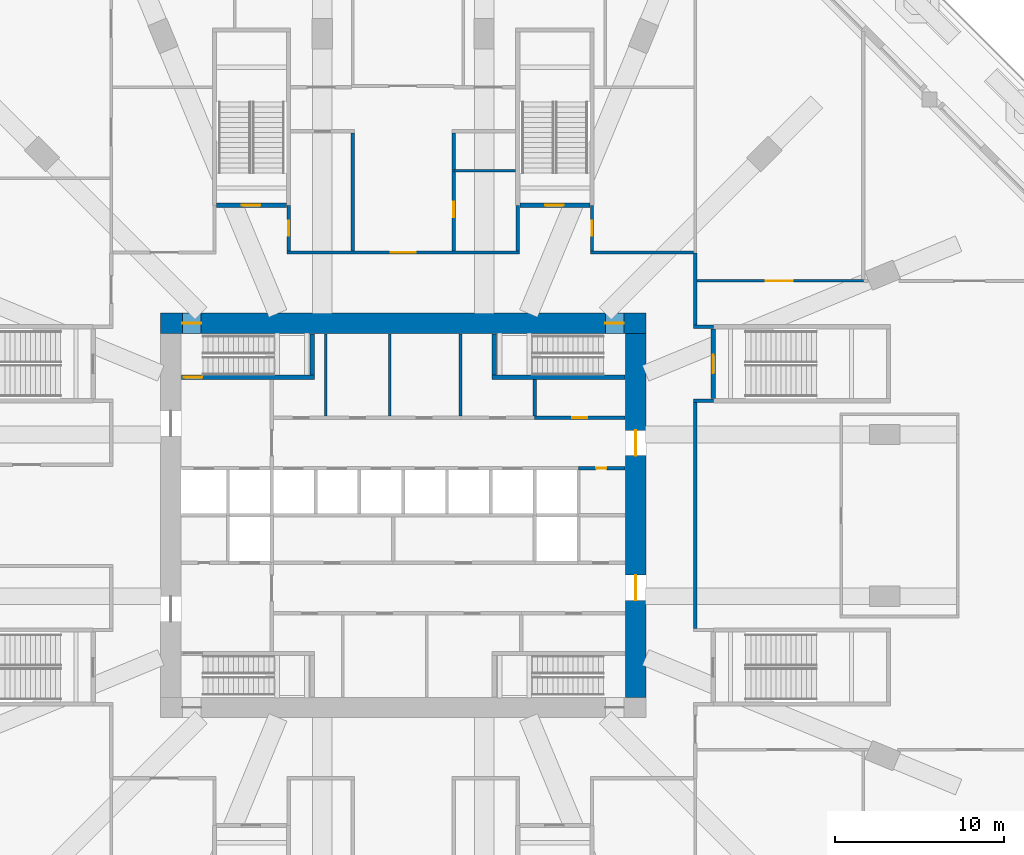
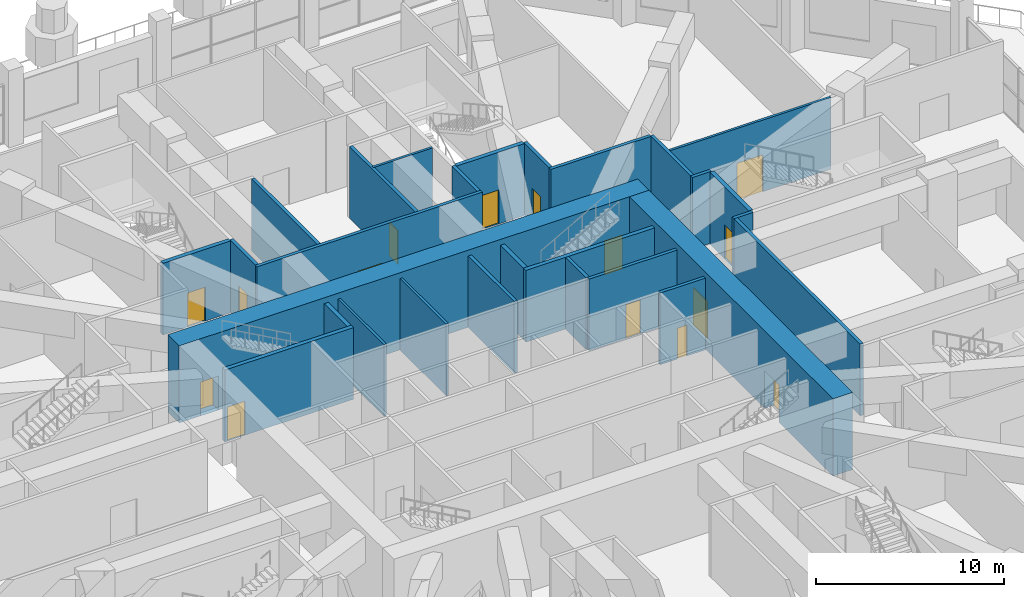
# One storey, part 18 of 25: 28 walls, 15 doors, 15 openings.
"""IFC4 building model written with IfcOpenShell, lengths in metres."""

from ifc_helpers import new_model, si_unit, direction, frame, frame_2d, origin, place, context, subcontext, project, spatial, rectangle, extrude, material, layer, layer_set, type_object, element, fill, save


model = new_model("IFC4")

# Units and contexts
model_context = context("Model", 3, precision=1e-05, world=origin(), true_north=direction((0.0, 1.0)))
body_context = subcontext(model_context, "Body", "Model", "MODEL_VIEW")
ifc_project = project(units=[si_unit("LENGTHUNIT", "METRE"), si_unit("AREAUNIT", "SQUARE_METRE"), si_unit("VOLUMEUNIT", "CUBIC_METRE"), si_unit("PLANEANGLEUNIT", "RADIAN"), si_unit("MASSUNIT", "GRAM", prefix="KILO")], contexts=[model_context])

# Site, building, storey
site_placement = place(None, origin())
site = spatial("IfcSite", under=ifc_project, at=site_placement, CompositionType="ELEMENT")
building_placement = place(site_placement, origin())
building = spatial("IfcBuilding", under=site, at=building_placement, Name="Msitu Wima Residences", CompositionType="ELEMENT")
storey_placement = place(building_placement, frame((0.0, 0.0, 11.0)))
storey = spatial("IfcBuildingStorey", under=building, at=storey_placement, Name="L02", CompositionType="ELEMENT", Elevation=11.0)

# Wall, openings, doors
ifc_material_1 = material(Name="Concrete C80/95", Category="concrete")
ifc_layer_1 = layer(ifc_material_1, 1.199951171875)
ifc_layer_set_1 = layer_set([ifc_layer_1], Name="Concrete C80/95")
wall_type_1 = type_object("IfcWallType", Name="Core wall CW1200 C80/95", PredefinedType="SHEAR", material=ifc_layer_set_1)
wall_1_placement = place(storey_placement, frame((-14.39990234375, 11.39990234375, 0.0), z_axis=(0.0, 0.0, 1.0), x_axis=(1.0, 0.0, 0.0)))
wall_1 = element("IfcWall", 1, at=wall_1_placement, inside=storey, type_object=wall_type_1, Name="Core wall", PredefinedType="SHEAR", context=body_context, shape_type="SweptSolid", body=[
    extrude(rectangle(XDim=28.7998046875, YDim=1.199951171875, at=frame_2d((14.39990234375, 0.0))), origin(), (0.0, 0.0, 1.0), 5.0),
])
opening_1_placement = place(wall_1_placement, frame((1.300048828125, 0.0, 0.0)))
opening_1 = element("IfcOpeningElement", 2, at=opening_1_placement, cuts=wall_1, Name="Opening D02.064", PredefinedType="OPENING", context=body_context, shape_type="SweptSolid", body=[
    extrude(rectangle(XDim=1.10009765625, YDim=2.199951171875, at=frame_2d((0.550048828125, 1.10009765625))), frame((0.0, 0.60986328125, 0.0), z_axis=(0.0, -1.0, 0.0), x_axis=(1.0, 0.0, 0.0)), (0.0, 0.0, 1.0), 1.219970703125),
])
opening_2_placement = place(wall_1_placement, frame((26.39990234375, 0.0, 0.0)))
opening_2 = element("IfcOpeningElement", 3, at=opening_2_placement, cuts=wall_1, Name="Opening D02.066", PredefinedType="OPENING", context=body_context, shape_type="SweptSolid", body=[
    extrude(rectangle(XDim=1.10009765625, YDim=2.199951171875, at=frame_2d((0.550048828125, 1.10009765625))), frame((0.0, 0.60986328125, 0.0), z_axis=(0.0, -1.0, 0.0), x_axis=(1.0, 0.0, 0.0)), (0.0, 0.0, 1.0), 1.219970703125),
])
ifc_material_2 = material(Name="Steel door, fire resisting, panic bar", Category="steel")
door_type_1 = type_object("IfcDoorType", Name="Stair door D06 1100x2200", OperationType="SINGLE_SWING_LEFT", PredefinedType="DOOR", material=ifc_material_2)
door_1_placement = place(opening_1_placement, origin())
door_1 = element("IfcDoor", 4, at=door_1_placement, inside=storey, type_object=door_type_1, Name="Stair door", OperationType="SINGLE_SWING_RIGHT", OverallHeight=2.199951171875, OverallWidth=1.10009765625, PredefinedType="DOOR", context=body_context, shape_type="SweptSolid", body=[
    extrude(rectangle(XDim=1.10009765625, YDim=2.199951171875, at=frame_2d((0.550048828125, 1.10009765625))), frame((0.0, 0.02490234375, 0.0), z_axis=(0.0, -1.0, 0.0), x_axis=(1.0, 0.0, 0.0)), (0.0, 0.0, 1.0), 0.050048828125),
])
fill(opening_1, door_1)
door_2_placement = place(opening_2_placement, origin())
door_2 = element("IfcDoor", 5, at=door_2_placement, inside=storey, type_object=door_type_1, Name="Stair door", OperationType="SINGLE_SWING_LEFT", OverallHeight=2.199951171875, OverallWidth=1.10009765625, PredefinedType="DOOR", context=body_context, shape_type="SweptSolid", body=[
    extrude(rectangle(XDim=1.10009765625, YDim=2.199951171875, at=frame_2d((0.550048828125, 1.10009765625))), frame((0.0, 0.02490234375, 0.0), z_axis=(0.0, -1.0, 0.0), x_axis=(1.0, 0.0, 0.0)), (0.0, 0.0, 1.0), 0.050048828125),
])
fill(opening_2, door_2)

wall_2_placement = place(storey_placement, frame((13.800048828125, -10.800048828125, 0.0), z_axis=(0.0, 0.0, 1.0), x_axis=(0.0, 1.0, 0.0)))
wall_2 = element("IfcWall", 6, at=wall_2_placement, inside=storey, type_object=wall_type_1, Name="Core wall", PredefinedType="SHEAR", context=body_context, shape_type="SweptSolid", body=[
    extrude(rectangle(XDim=21.60009765625, YDim=1.199951171875, at=frame_2d((10.800048828125, 0.0))), origin(), (0.0, 0.0, 1.0), 5.0),
])
opening_3_placement = place(wall_2_placement, frame((14.35009765625, 0.0, 0.0)))
opening_3 = element("IfcOpeningElement", 7, at=opening_3_placement, cuts=wall_2, Name="Opening D02.060", PredefinedType="OPENING", context=body_context, shape_type="SweptSolid", body=[
    extrude(rectangle(XDim=1.5, YDim=2.39990234375, at=frame_2d((0.75, 1.199951171875))), frame((0.0, 0.60986328125, 0.0), z_axis=(0.0, -1.0, 0.0), x_axis=(1.0, 0.0, 0.0)), (0.0, 0.0, 1.0), 1.219970703125),
])
opening_4_placement = place(wall_2_placement, frame((5.75, 0.0, 0.0)))
opening_4 = element("IfcOpeningElement", 8, at=opening_4_placement, cuts=wall_2, Name="Opening D02.061", PredefinedType="OPENING", context=body_context, shape_type="SweptSolid", body=[
    extrude(rectangle(XDim=1.5, YDim=2.39990234375, at=frame_2d((0.75, 1.199951171875))), frame((0.0, 0.60986328125, 0.0), z_axis=(0.0, -1.0, 0.0), x_axis=(1.0, 0.0, 0.0)), (0.0, 0.0, 1.0), 1.219970703125),
])
ifc_material_3 = material(Name="Steel framed glazed door, fire resisting", Category="steel")
door_type_2 = type_object("IfcDoorType", Name="Lobby door D07 1500x2400", OperationType="DOUBLE_DOOR_SINGLE_SWING", PredefinedType="DOOR", material=ifc_material_3)
door_3_placement = place(opening_3_placement, origin())
door_3 = element("IfcDoor", 9, at=door_3_placement, inside=storey, type_object=door_type_2, Name="Lobby door", OperationType="DOUBLE_DOOR_SINGLE_SWING", OverallHeight=2.39990234375, OverallWidth=1.5, PredefinedType="DOOR", context=body_context, shape_type="SweptSolid", body=[
    extrude(rectangle(XDim=1.5, YDim=2.39990234375, at=frame_2d((0.75, 1.199951171875))), frame((0.0, 0.02490234375, 0.0), z_axis=(0.0, -1.0, 0.0), x_axis=(1.0, 0.0, 0.0)), (0.0, 0.0, 1.0), 0.050048828125),
])
fill(opening_3, door_3)
door_4_placement = place(opening_4_placement, origin())
door_4 = element("IfcDoor", 10, at=door_4_placement, inside=storey, type_object=door_type_2, Name="Lobby door", OperationType="DOUBLE_DOOR_SINGLE_SWING", OverallHeight=2.39990234375, OverallWidth=1.5, PredefinedType="DOOR", context=body_context, shape_type="SweptSolid", body=[
    extrude(rectangle(XDim=1.5, YDim=2.39990234375, at=frame_2d((0.75, 1.199951171875))), frame((0.0, 0.02490234375, 0.0), z_axis=(0.0, -1.0, 0.0), x_axis=(1.0, 0.0, 0.0)), (0.0, 0.0, 1.0), 0.050048828125),
])
fill(opening_4, door_4)

# Wall, opening, door
ifc_material_4 = material(Name="Plaster")
ifc_layer_2 = layer(ifc_material_4, 0.011962890625, Name="Plaster")
ifc_material_5 = material(Name="Concrete blockwork", Category="masonry")
ifc_layer_3 = layer(ifc_material_5, 0.176025390625, Name="Concrete blockwork")
ifc_layer_4 = layer(ifc_material_4, 0.011962890625, Name="Plaster")
ifc_layer_set_2 = layer_set([ifc_layer_2, ifc_layer_3, ifc_layer_4], Name="Concrete blockwork")
wall_type_2 = type_object("IfcWallType", Name="Corridor wall FW200", PredefinedType="PARTITIONING", material=ifc_layer_set_2)
wall_3_placement = place(storey_placement, frame((-6.800048828125, 15.699951171875, 0.0), z_axis=(0.0, 0.0, 1.0), x_axis=(0.0, 1.0, 0.0)))
wall_3 = element("IfcWall", 11, at=wall_3_placement, inside=storey, type_object=wall_type_2, Name="Corridor wall", PredefinedType="PARTITIONING", context=body_context, shape_type="SweptSolid", body=[
    extrude(rectangle(XDim=2.699951171875, YDim=0.199951171875, at=frame_2d((1.35009765625, 0.0))), origin(), (0.0, 0.0, 1.0), 4.64990234375),
])
opening_5_placement = place(wall_3_placement, frame((0.89990234375, 0.0, 0.0)))
opening_5 = element("IfcOpeningElement", 12, at=opening_5_placement, cuts=wall_3, Name="Opening D02.039", PredefinedType="OPENING", context=body_context, shape_type="SweptSolid", body=[
    extrude(rectangle(XDim=0.89990234375, YDim=2.199951171875, at=frame_2d((0.449951171875, 1.10009765625))), frame((0.0, 0.10986328125, 0.0), z_axis=(0.0, -1.0, 0.0), x_axis=(1.0, 0.0, 0.0)), (0.0, 0.0, 1.0), 0.219970703125),
])
ifc_material_6 = material(Name="Timber flush door", Category="wood")
door_type_3 = type_object("IfcDoorType", Name="Service door D05 900x2200", OperationType="SINGLE_SWING_LEFT", PredefinedType="DOOR", material=ifc_material_6)
door_5_placement = place(opening_5_placement, origin())
door_5 = element("IfcDoor", 13, at=door_5_placement, inside=storey, type_object=door_type_3, Name="Service door", OperationType="SINGLE_SWING_RIGHT", OverallHeight=2.199951171875, OverallWidth=0.89990234375, PredefinedType="DOOR", context=body_context, shape_type="SweptSolid", body=[
    extrude(rectangle(XDim=0.89990234375, YDim=2.199951171875, at=frame_2d((0.449951171875, 1.10009765625))), frame((0.0, 0.02490234375, 0.0), z_axis=(0.0, -1.0, 0.0), x_axis=(1.0, 0.0, 0.0)), (0.0, 0.0, 1.0), 0.050048828125),
])
fill(opening_5, door_5)

wall_4_placement = place(storey_placement, frame((-6.89990234375, 15.60009765625, 0.0), z_axis=(0.0, 0.0, 1.0), x_axis=(1.0, 0.0, 0.0)))
wall_4 = element("IfcWall", 14, at=wall_4_placement, inside=storey, type_object=wall_type_2, Name="Corridor wall", PredefinedType="PARTITIONING", context=body_context, shape_type="SweptSolid", body=[
    extrude(rectangle(XDim=13.7998046875, YDim=0.199951171875, at=frame_2d((6.89990234375, 0.0))), origin(), (0.0, 0.0, 1.0), 4.64990234375),
])
opening_6_placement = place(wall_4_placement, frame((6.14990234375, 0.0, 0.0)))
opening_6 = element("IfcOpeningElement", 15, at=opening_6_placement, cuts=wall_4, Name="Opening D02.051", PredefinedType="OPENING", context=body_context, shape_type="SweptSolid", body=[
    extrude(rectangle(XDim=1.5, YDim=2.199951171875, at=frame_2d((0.75, 1.10009765625))), frame((0.0, 0.10986328125, 0.0), z_axis=(0.0, -1.0, 0.0), x_axis=(1.0, 0.0, 0.0)), (0.0, 0.0, 1.0), 0.219970703125),
])
ifc_material_7 = material(Name="Timber double door", Category="wood")
door_type_4 = type_object("IfcDoorType", Name="Double door D04 1500x2200", OperationType="DOUBLE_DOOR_SINGLE_SWING", PredefinedType="DOOR", material=ifc_material_7)
door_6_placement = place(opening_6_placement, origin())
door_6 = element("IfcDoor", 16, at=door_6_placement, inside=storey, type_object=door_type_4, Name="Double door", OperationType="DOUBLE_DOOR_SINGLE_SWING", OverallHeight=2.199951171875, OverallWidth=1.5, PredefinedType="DOOR", context=body_context, shape_type="SweptSolid", body=[
    extrude(rectangle(XDim=1.5, YDim=2.199951171875, at=frame_2d((0.75, 1.10009765625))), frame((0.0, 0.02490234375, 0.0), z_axis=(0.0, -1.0, 0.0), x_axis=(1.0, 0.0, 0.0)), (0.0, 0.0, 1.0), 0.050048828125),
])
fill(opening_6, door_6)

# Wall
wall_5_placement = place(storey_placement, frame((-3.0, 15.699951171875, 0.0), z_axis=(0.0, 0.0, 1.0), x_axis=(0.0, 1.0, 0.0)))
element("IfcWall", 17, at=wall_5_placement, inside=storey, type_object=wall_type_2, Name="Corridor wall", PredefinedType="PARTITIONING", context=body_context, shape_type="SweptSolid", body=[
    extrude(rectangle(XDim=7.0, YDim=0.199951171875, at=frame_2d((3.5, 0.0))), origin(), (0.0, 0.0, 1.0), 4.64990234375),
])

# Wall, opening, door
wall_6_placement = place(storey_placement, frame((3.0, 15.699951171875, 0.0), z_axis=(0.0, 0.0, 1.0), x_axis=(0.0, 1.0, 0.0)))
wall_6 = element("IfcWall", 18, at=wall_6_placement, inside=storey, type_object=wall_type_2, Name="Corridor wall", PredefinedType="PARTITIONING", context=body_context, shape_type="SweptSolid", body=[
    extrude(rectangle(XDim=7.0, YDim=0.199951171875, at=frame_2d((3.5, 0.0))), origin(), (0.0, 0.0, 1.0), 4.64990234375),
])
opening_7_placement = place(wall_6_placement, frame((2.0, 0.0, 0.0)))
opening_7 = element("IfcOpeningElement", 19, at=opening_7_placement, cuts=wall_6, Name="Opening D02.049", PredefinedType="OPENING", context=body_context, shape_type="SweptSolid", body=[
    extrude(rectangle(XDim=0.89990234375, YDim=2.199951171875, at=frame_2d((0.449951171875, 1.10009765625))), frame((0.0, 0.10986328125, 0.0), z_axis=(0.0, -1.0, 0.0), x_axis=(1.0, 0.0, 0.0)), (0.0, 0.0, 1.0), 0.219970703125),
])
ifc_material_8 = material(Name="Timber flush door, moisture resistant", Category="wood")
door_type_5 = type_object("IfcDoorType", Name="Bathroom door D03 900x2200", OperationType="SINGLE_SWING_LEFT", PredefinedType="DOOR", material=ifc_material_8)
door_7_placement = place(opening_7_placement, origin())
door_7 = element("IfcDoor", 20, at=door_7_placement, inside=storey, type_object=door_type_5, Name="Bathroom door", OperationType="SINGLE_SWING_LEFT", OverallHeight=2.199951171875, OverallWidth=0.89990234375, PredefinedType="DOOR", context=body_context, shape_type="SweptSolid", body=[
    extrude(rectangle(XDim=0.89990234375, YDim=2.199951171875, at=frame_2d((0.449951171875, 1.10009765625))), frame((0.0, 0.02490234375, 0.0), z_axis=(0.0, -1.0, 0.0), x_axis=(1.0, 0.0, 0.0)), (0.0, 0.0, 1.0), 0.050048828125),
])
fill(opening_7, door_7)

# Wall
wall_7_placement = place(storey_placement, frame((6.800048828125, 15.699951171875, 0.0), z_axis=(0.0, 0.0, 1.0), x_axis=(0.0, 1.0, 0.0)))
element("IfcWall", 21, at=wall_7_placement, inside=storey, type_object=wall_type_2, Name="Corridor wall", PredefinedType="PARTITIONING", context=body_context, shape_type="SweptSolid", body=[
    extrude(rectangle(XDim=2.699951171875, YDim=0.199951171875, at=frame_2d((1.35009765625, 0.0))), origin(), (0.0, 0.0, 1.0), 4.64990234375),
])

# Wall, opening, door
wall_8_placement = place(storey_placement, frame((7.780029296875, 5.800048828125, 0.0), z_axis=(0.0, 0.0, 1.0), x_axis=(1.0, 0.0, 0.0)))
wall_8 = element("IfcWall", 22, at=wall_8_placement, inside=storey, type_object=wall_type_2, Name="Corridor wall", PredefinedType="PARTITIONING", context=body_context, shape_type="SweptSolid", body=[
    extrude(rectangle(XDim=5.389892578125, YDim=0.199951171875, at=frame_2d((2.69482421875, 0.0))), origin(), (0.0, 0.0, 1.0), 4.64990234375),
])
opening_8_placement = place(wall_8_placement, frame((2.25, 0.0, 0.0)))
opening_8 = element("IfcOpeningElement", 23, at=opening_8_placement, cuts=wall_8, Name="Opening D02.016", PredefinedType="OPENING", context=body_context, shape_type="SweptSolid", body=[
    extrude(rectangle(XDim=0.89990234375, YDim=2.199951171875, at=frame_2d((0.449951171875, 1.10009765625))), frame((0.0, 0.10986328125, 0.0), z_axis=(0.0, -1.0, 0.0), x_axis=(1.0, 0.0, 0.0)), (0.0, 0.0, 1.0), 0.219970703125),
])
door_8_placement = place(opening_8_placement, origin())
door_8 = element("IfcDoor", 24, at=door_8_placement, inside=storey, type_object=door_type_3, Name="Service door", OperationType="SINGLE_SWING_LEFT", OverallHeight=2.199951171875, OverallWidth=0.89990234375, PredefinedType="DOOR", context=body_context, shape_type="SweptSolid", body=[
    extrude(rectangle(XDim=0.89990234375, YDim=2.199951171875, at=frame_2d((0.449951171875, 1.10009765625))), frame((0.0, 0.02490234375, 0.0), z_axis=(0.0, -1.0, 0.0), x_axis=(1.0, 0.0, 0.0)), (0.0, 0.0, 1.0), 0.050048828125),
])
fill(opening_8, door_8)

wall_9_placement = place(storey_placement, frame((11.199951171875, 15.699951171875, 0.0), z_axis=(0.0, 0.0, 1.0), x_axis=(0.0, 1.0, 0.0)))
wall_9 = element("IfcWall", 25, at=wall_9_placement, inside=storey, type_object=wall_type_2, Name="Corridor wall", PredefinedType="PARTITIONING", context=body_context, shape_type="SweptSolid", body=[
    extrude(rectangle(XDim=2.699951171875, YDim=0.199951171875, at=frame_2d((1.35009765625, 0.0))), origin(), (0.0, 0.0, 1.0), 4.64990234375),
])
opening_9_placement = place(wall_9_placement, frame((0.89990234375, 0.0, 0.0)))
opening_9 = element("IfcOpeningElement", 26, at=opening_9_placement, cuts=wall_9, Name="Opening D02.038", PredefinedType="OPENING", context=body_context, shape_type="SweptSolid", body=[
    extrude(rectangle(XDim=0.89990234375, YDim=2.199951171875, at=frame_2d((0.449951171875, 1.10009765625))), frame((0.0, 0.10986328125, 0.0), z_axis=(0.0, -1.0, 0.0), x_axis=(1.0, 0.0, 0.0)), (0.0, 0.0, 1.0), 0.219970703125),
])
door_9_placement = place(opening_9_placement, origin())
door_9 = element("IfcDoor", 27, at=door_9_placement, inside=storey, type_object=door_type_3, Name="Service door", OperationType="SINGLE_SWING_RIGHT", OverallHeight=2.199951171875, OverallWidth=0.89990234375, PredefinedType="DOOR", context=body_context, shape_type="SweptSolid", body=[
    extrude(rectangle(XDim=0.89990234375, YDim=2.199951171875, at=frame_2d((0.449951171875, 1.10009765625))), frame((0.0, 0.02490234375, 0.0), z_axis=(0.0, -1.0, 0.0), x_axis=(1.0, 0.0, 0.0)), (0.0, 0.0, 1.0), 0.050048828125),
])
fill(opening_9, door_9)

# Walls
wall_10_placement = place(storey_placement, frame((11.10009765625, 15.60009765625, 0.0), z_axis=(0.0, 0.0, 1.0), x_axis=(1.0, 0.0, 0.0)))
element("IfcWall", 28, at=wall_10_placement, inside=storey, type_object=wall_type_2, Name="Corridor wall", PredefinedType="PARTITIONING", context=body_context, shape_type="SweptSolid", body=[
    extrude(rectangle(XDim=6.1279296875, YDim=0.199951171875, at=frame_2d((3.06396484375, 0.0))), origin(), (0.0, 0.0, 1.0), 4.64990234375),
])
wall_11_placement = place(storey_placement, frame((17.327880859375, -6.699951171875, 0.0), z_axis=(0.0, 0.0, 1.0), x_axis=(0.0, 1.0, 0.0)))
element("IfcWall", 29, at=wall_11_placement, inside=storey, type_object=wall_type_2, Name="Corridor wall", PredefinedType="PARTITIONING", context=body_context, shape_type="SweptSolid", body=[
    extrude(rectangle(XDim=13.39990234375, YDim=0.199951171875, at=frame_2d((6.699951171875, 0.0))), origin(), (0.0, 0.0, 1.0), 4.64990234375),
])
wall_12_placement = place(storey_placement, frame((17.22802734375, 6.800048828125, 0.0), z_axis=(0.0, 0.0, 1.0), x_axis=(1.0, 0.0, 0.0)))
element("IfcWall", 30, at=wall_12_placement, inside=storey, type_object=wall_type_2, Name="Corridor wall", PredefinedType="PARTITIONING", context=body_context, shape_type="SweptSolid", body=[
    extrude(rectangle(XDim=1.171875, YDim=0.199951171875, at=frame_2d((0.5859375, 0.0))), origin(), (0.0, 0.0, 1.0), 4.64990234375),
])
wall_13_placement = place(storey_placement, frame((17.327880859375, 11.300048828125, 0.0), z_axis=(0.0, 0.0, 1.0), x_axis=(0.0, 1.0, 0.0)))
element("IfcWall", 31, at=wall_13_placement, inside=storey, type_object=wall_type_2, Name="Corridor wall", PredefinedType="PARTITIONING", context=body_context, shape_type="SweptSolid", body=[
    extrude(rectangle(XDim=4.280029296875, YDim=0.199951171875, at=frame_2d((2.14013671875, 0.0))), origin(), (0.0, 0.0, 1.0), 4.64990234375),
])
wall_14_placement = place(storey_placement, frame((17.22802734375, 11.199951171875, 0.0), z_axis=(0.0, 0.0, 1.0), x_axis=(1.0, 0.0, 0.0)))
element("IfcWall", 32, at=wall_14_placement, inside=storey, type_object=wall_type_2, Name="Corridor wall", PredefinedType="PARTITIONING", context=body_context, shape_type="SweptSolid", body=[
    extrude(rectangle(XDim=1.171875, YDim=0.199951171875, at=frame_2d((0.5859375, 0.0))), origin(), (0.0, 0.0, 1.0), 4.64990234375),
])
ifc_layer_5 = layer(ifc_material_4, 0.011962890625, Name="Plaster")
ifc_layer_6 = layer(ifc_material_5, 0.1259765625, Name="Concrete blockwork")
ifc_layer_7 = layer(ifc_material_4, 0.011962890625, Name="Plaster")
ifc_layer_set_3 = layer_set([ifc_layer_5, ifc_layer_6, ifc_layer_7], Name="Concrete blockwork")
wall_type_3 = type_object("IfcWallType", Name="Partition PW150", PredefinedType="PARTITIONING", material=ifc_layer_set_3)
for number, where, z_axis, x_axis, name in (
    (33, (-4.60009765625, 5.89990234375, 0.0), (0.0, 0.0, 1.0), (0.0, 1.0, 0.0), "Partition"),
    (34, (-0.800048828125, 5.89990234375, 0.0), (0.0, 0.0, 1.0), (0.0, 1.0, 0.0), "Partition"),
):
    element("IfcWall", number, at=place(storey_placement, frame(where, z_axis=z_axis, x_axis=x_axis)), inside=storey, type_object=wall_type_3, Name=name, PredefinedType="PARTITIONING", context=body_context, shape_type="SweptSolid", body=[
        extrude(rectangle(XDim=4.8701171875, YDim=0.14990234375, at=frame_2d((2.43505859375, 0.0))), origin(), (0.0, 0.0, 1.0), 4.64990234375),
    ])
wall_15_placement = place(storey_placement, frame((3.02001953125, 20.44091796875, 0.0), z_axis=(0.0, 0.0, 1.0), x_axis=(1.0, 0.0, 0.0)))
element("IfcWall", 35, at=wall_15_placement, inside=storey, type_object=wall_type_3, Name="Partition", PredefinedType="PARTITIONING", context=body_context, shape_type="SweptSolid", body=[
    extrude(rectangle(XDim=3.635009765625, YDim=0.14990234375, at=frame_2d((1.8173828125, 0.0))), origin(), (0.0, 0.0, 1.0), 4.64990234375),
])

# Wall, opening, door
wall_16_placement = place(storey_placement, frame((17.427978515625, 13.91357421875, 0.0), z_axis=(0.0, 0.0, 1.0), x_axis=(1.0, 0.0, 0.0)))
wall_16 = element("IfcWall", 36, at=wall_16_placement, inside=storey, type_object=wall_type_3, Name="Partition", PredefinedType="PARTITIONING", context=body_context, shape_type="SweptSolid", body=[
    extrude(rectangle(XDim=9.8837890625, YDim=0.14990234375, at=frame_2d((4.94189453125, 0.0))), origin(), (0.0, 0.0, 1.0), 4.64990234375),
])
opening_10_placement = place(wall_16_placement, frame((4.10009765625, 0.0, 0.0)))
opening_10 = element("IfcOpeningElement", 37, at=opening_10_placement, cuts=wall_16, Name="Opening D02.029", PredefinedType="OPENING", context=body_context, shape_type="SweptSolid", body=[
    extrude(rectangle(XDim=1.60009765625, YDim=2.39990234375, at=frame_2d((0.800048828125, 1.199951171875))), frame((0.0, 0.0849609375, 0.0), z_axis=(0.0, -1.0, 0.0), x_axis=(1.0, 0.0, 0.0)), (0.0, 0.0, 1.0), 0.169921875),
])
ifc_material_9 = material(Name="Black aluminium glazed door", Category="aluminium")
door_type_6 = type_object("IfcDoorType", Name="Amenity door D10 1600x2400", OperationType="DOUBLE_DOOR_SINGLE_SWING", PredefinedType="DOOR", material=ifc_material_9)
door_10_placement = place(opening_10_placement, origin())
door_10 = element("IfcDoor", 38, at=door_10_placement, inside=storey, type_object=door_type_6, Name="Amenity door", OperationType="DOUBLE_DOOR_SINGLE_SWING", OverallHeight=2.39990234375, OverallWidth=1.60009765625, PredefinedType="DOOR", context=body_context, shape_type="SweptSolid", body=[
    extrude(rectangle(XDim=1.60009765625, YDim=2.39990234375, at=frame_2d((0.800048828125, 1.199951171875))), frame((0.0, 0.02490234375, 0.0), z_axis=(0.0, -1.0, 0.0), x_axis=(1.0, 0.0, 0.0)), (0.0, 0.0, 1.0), 0.050048828125),
])
fill(opening_10, door_10)

# Walls
ifc_layer_8 = layer(ifc_material_4, 0.011962890625, Name="Plaster")
ifc_material_10 = material(Name="Reinforced concrete blockwork", Category="masonry")
ifc_layer_9 = layer(ifc_material_10, 0.176025390625, Name="Reinforced concrete blockwork")
ifc_layer_10 = layer(ifc_material_4, 0.011962890625, Name="Plaster")
ifc_layer_set_4 = layer_set([ifc_layer_8, ifc_layer_9, ifc_layer_10], Name="Reinforced concrete blockwork")
wall_type_4 = type_object("IfcWallType", Name="Plant and riser wall PL200", PredefinedType="PARTITIONING", material=ifc_layer_set_4)
wall_17_placement = place(storey_placement, frame((3.39990234375, 5.89990234375, 0.0), z_axis=(0.0, 0.0, 1.0), x_axis=(0.0, 1.0, 0.0)))
element("IfcWall", 39, at=wall_17_placement, inside=storey, type_object=wall_type_4, Name="Plant and riser wall", PredefinedType="PARTITIONING", context=body_context, shape_type="SweptSolid", body=[
    extrude(rectangle(XDim=4.8701171875, YDim=0.199951171875, at=frame_2d((2.43505859375, 0.0))), origin(), (0.0, 0.0, 1.0), 4.64990234375),
])
wall_18_placement = place(storey_placement, frame((7.800048828125, 5.89990234375, 0.0), z_axis=(0.0, 0.0, 1.0), x_axis=(0.0, 1.0, 0.0)))
element("IfcWall", 40, at=wall_18_placement, inside=storey, type_object=wall_type_4, Name="Plant and riser wall", PredefinedType="PARTITIONING", context=body_context, shape_type="SweptSolid", body=[
    extrude(rectangle(XDim=2.175048828125, YDim=0.199951171875, at=frame_2d((1.08740234375, 0.0))), origin(), (0.0, 0.0, 1.0), 4.64990234375),
])

# Wall, opening, door
wall_19_placement = place(storey_placement, frame((10.39990234375, 2.800048828125, 0.0), z_axis=(0.0, 0.0, 1.0), x_axis=(1.0, 0.0, 0.0)))
wall_19 = element("IfcWall", 41, at=wall_19_placement, inside=storey, type_object=wall_type_4, Name="Plant and riser wall", PredefinedType="PARTITIONING", context=body_context, shape_type="SweptSolid", body=[
    extrude(rectangle(XDim=2.77001953125, YDim=0.199951171875, at=frame_2d((1.385009765625, 0.0))), origin(), (0.0, 0.0, 1.0), 4.64990234375),
])
opening_11_placement = place(wall_19_placement, frame((1.050048828125, 0.0, 0.0)))
opening_11 = element("IfcOpeningElement", 42, at=opening_11_placement, cuts=wall_19, Name="Opening D02.021", PredefinedType="OPENING", context=body_context, shape_type="SweptSolid", body=[
    extrude(rectangle(XDim=0.60009765625, YDim=2.0, at=frame_2d((0.300048828125, 1.0))), frame((0.0, 0.10986328125, 0.0), z_axis=(0.0, -1.0, 0.0), x_axis=(1.0, 0.0, 0.0)), (0.0, 0.0, 1.0), 0.219970703125),
])
ifc_material_11 = material(Name="Steel access door, fire resisting", Category="steel")
door_type_7 = type_object("IfcDoorType", Name="Riser access door D08 600x2000", OperationType="SINGLE_SWING_LEFT", PredefinedType="DOOR", material=ifc_material_11)
door_11_placement = place(opening_11_placement, origin())
door_11 = element("IfcDoor", 43, at=door_11_placement, inside=storey, type_object=door_type_7, Name="Riser access door", OperationType="SINGLE_SWING_RIGHT", OverallHeight=2.0, OverallWidth=0.60009765625, PredefinedType="DOOR", context=body_context, shape_type="SweptSolid", body=[
    extrude(rectangle(XDim=0.60009765625, YDim=2.0, at=frame_2d((0.300048828125, 1.0))), frame((0.0, 0.02490234375, 0.0), z_axis=(0.0, -1.0, 0.0), x_axis=(1.0, 0.0, 0.0)), (0.0, 0.0, 1.0), 0.050048828125),
])
fill(opening_11, door_11)

ifc_material_12 = material(Name="Concrete C50/60", Category="concrete")
ifc_layer_11 = layer(ifc_material_12, 0.25)
ifc_layer_set_5 = layer_set([ifc_layer_11], Name="Concrete C50/60")
wall_type_5 = type_object("IfcWallType", Name="Stair enclosure wall SW250", PredefinedType="SHEAR", material=ifc_layer_set_5)
wall_20_placement = place(storey_placement, frame((-13.169921875, 8.199951171875, 0.0), z_axis=(0.0, 0.0, 1.0), x_axis=(1.0, 0.0, 0.0)))
wall_20 = element("IfcWall", 44, at=wall_20_placement, inside=storey, type_object=wall_type_5, Name="Stair enclosure wall", PredefinedType="SHEAR", context=body_context, shape_type="SweptSolid", body=[
    extrude(rectangle(XDim=7.89501953125, YDim=0.25, at=frame_2d((3.947509765625, 0.0))), origin(), (0.0, 0.0, 1.0), 4.64990234375),
])
opening_12_placement = place(wall_20_placement, frame((0.14990234375, 0.0, 0.0)))
opening_12 = element("IfcOpeningElement", 45, at=opening_12_placement, cuts=wall_20, Name="Opening D02.025", PredefinedType="OPENING", context=body_context, shape_type="SweptSolid", body=[
    extrude(rectangle(XDim=1.10009765625, YDim=2.199951171875, at=frame_2d((0.550048828125, 1.10009765625))), frame((0.0, 0.135009765625, 0.0), z_axis=(0.0, -1.0, 0.0), x_axis=(1.0, 0.0, 0.0)), (0.0, 0.0, 1.0), 0.27001953125),
])
door_12_placement = place(opening_12_placement, origin())
door_12 = element("IfcDoor", 46, at=door_12_placement, inside=storey, type_object=door_type_1, Name="Stair door", OperationType="SINGLE_SWING_LEFT", OverallHeight=2.199951171875, OverallWidth=1.10009765625, PredefinedType="DOOR", context=body_context, shape_type="SweptSolid", body=[
    extrude(rectangle(XDim=1.10009765625, YDim=2.199951171875, at=frame_2d((0.550048828125, 1.10009765625))), frame((0.0, 0.02490234375, 0.0), z_axis=(0.0, -1.0, 0.0), x_axis=(1.0, 0.0, 0.0)), (0.0, 0.0, 1.0), 0.050048828125),
])
fill(opening_12, door_12)

wall_21_placement = place(storey_placement, frame((-11.074951171875, 18.39990234375, 0.0), z_axis=(0.0, 0.0, 1.0), x_axis=(1.0, 0.0, 0.0)))
wall_21 = element("IfcWall", 47, at=wall_21_placement, inside=storey, type_object=wall_type_5, Name="Stair enclosure wall", PredefinedType="SHEAR", context=body_context, shape_type="SweptSolid", body=[
    extrude(rectangle(XDim=4.14990234375, YDim=0.25, at=frame_2d((2.074951171875, 0.0))), origin(), (0.0, 0.0, 1.0), 4.64990234375),
])
opening_13_placement = place(wall_21_placement, frame((1.5, 0.0, 0.0)))
opening_13 = element("IfcOpeningElement", 48, at=opening_13_placement, cuts=wall_21, Name="Opening D02.054", PredefinedType="OPENING", context=body_context, shape_type="SweptSolid", body=[
    extrude(rectangle(XDim=1.10009765625, YDim=2.199951171875, at=frame_2d((0.550048828125, 1.10009765625))), frame((0.0, 0.135009765625, 0.0), z_axis=(0.0, -1.0, 0.0), x_axis=(1.0, 0.0, 0.0)), (0.0, 0.0, 1.0), 0.27001953125),
])
door_type_8 = type_object("IfcDoorType", Name="Stair door D13 1100x2200", OperationType="SINGLE_SWING_LEFT", PredefinedType="DOOR", material=ifc_material_2)
door_13_placement = place(opening_13_placement, origin())
door_13 = element("IfcDoor", 49, at=door_13_placement, inside=storey, type_object=door_type_8, Name="Stair door", OperationType="SINGLE_SWING_LEFT", OverallHeight=2.199951171875, OverallWidth=1.10009765625, PredefinedType="DOOR", context=body_context, shape_type="SweptSolid", body=[
    extrude(rectangle(XDim=1.10009765625, YDim=2.199951171875, at=frame_2d((0.550048828125, 1.10009765625))), frame((0.0, 0.02490234375, 0.0), z_axis=(0.0, -1.0, 0.0), x_axis=(1.0, 0.0, 0.0)), (0.0, 0.0, 1.0), 0.050048828125),
])
fill(opening_13, door_13)

# Walls
for number, where, z_axis, x_axis, name in (
    (50, (-5.39990234375, 8.324951171875, 0.0), (0.0, 0.0, 1.0), (0.0, 1.0, 0.0), "Stair enclosure wall"),
    (51, (5.39990234375, 8.324951171875, 0.0), (0.0, 0.0, 1.0), (0.0, 1.0, 0.0), "Stair enclosure wall"),
):
    element("IfcWall", number, at=place(storey_placement, frame(where, z_axis=z_axis, x_axis=x_axis)), inside=storey, type_object=wall_type_5, Name=name, PredefinedType="SHEAR", context=body_context, shape_type="SweptSolid", body=[
        extrude(rectangle(XDim=2.445068359375, YDim=0.25, at=frame_2d((1.22265625, 0.0))), origin(), (0.0, 0.0, 1.0), 4.64990234375),
    ])
wall_22_placement = place(storey_placement, frame((5.27490234375, 8.199951171875, 0.0), z_axis=(0.0, 0.0, 1.0), x_axis=(1.0, 0.0, 0.0)))
element("IfcWall", 52, at=wall_22_placement, inside=storey, type_object=wall_type_5, Name="Stair enclosure wall", PredefinedType="SHEAR", context=body_context, shape_type="SweptSolid", body=[
    extrude(rectangle(XDim=7.89501953125, YDim=0.25, at=frame_2d((3.947509765625, 0.0))), origin(), (0.0, 0.0, 1.0), 4.64990234375),
])

# Wall, opening, door
wall_23_placement = place(storey_placement, frame((6.925048828125, 18.39990234375, 0.0), z_axis=(0.0, 0.0, 1.0), x_axis=(1.0, 0.0, 0.0)))
wall_23 = element("IfcWall", 53, at=wall_23_placement, inside=storey, type_object=wall_type_5, Name="Stair enclosure wall", PredefinedType="SHEAR", context=body_context, shape_type="SweptSolid", body=[
    extrude(rectangle(XDim=4.14990234375, YDim=0.25, at=frame_2d((2.074951171875, 0.0))), origin(), (0.0, 0.0, 1.0), 4.64990234375),
])
opening_14_placement = place(wall_23_placement, frame((1.5, 0.0, 0.0)))
opening_14 = element("IfcOpeningElement", 54, at=opening_14_placement, cuts=wall_23, Name="Opening D02.055", PredefinedType="OPENING", context=body_context, shape_type="SweptSolid", body=[
    extrude(rectangle(XDim=1.10009765625, YDim=2.199951171875, at=frame_2d((0.550048828125, 1.10009765625))), frame((0.0, 0.135009765625, 0.0), z_axis=(0.0, -1.0, 0.0), x_axis=(1.0, 0.0, 0.0)), (0.0, 0.0, 1.0), 0.27001953125),
])
door_14_placement = place(opening_14_placement, origin())
door_14 = element("IfcDoor", 55, at=door_14_placement, inside=storey, type_object=door_type_8, Name="Stair door", OperationType="SINGLE_SWING_LEFT", OverallHeight=2.199951171875, OverallWidth=1.10009765625, PredefinedType="DOOR", context=body_context, shape_type="SweptSolid", body=[
    extrude(rectangle(XDim=1.10009765625, YDim=2.199951171875, at=frame_2d((0.550048828125, 1.10009765625))), frame((0.0, 0.02490234375, 0.0), z_axis=(0.0, -1.0, 0.0), x_axis=(1.0, 0.0, 0.0)), (0.0, 0.0, 1.0), 0.050048828125),
])
fill(opening_14, door_14)

wall_24_placement = place(storey_placement, frame((18.39990234375, 6.925048828125, 0.0), z_axis=(0.0, 0.0, 1.0), x_axis=(0.0, 1.0, 0.0)))
wall_24 = element("IfcWall", 56, at=wall_24_placement, inside=storey, type_object=wall_type_5, Name="Stair enclosure wall", PredefinedType="SHEAR", context=body_context, shape_type="SweptSolid", body=[
    extrude(rectangle(XDim=4.14990234375, YDim=0.25, at=frame_2d((2.074951171875, 0.0))), origin(), (0.0, 0.0, 1.0), 4.64990234375),
])
opening_15_placement = place(wall_24_placement, frame((1.5, 0.0, 0.0)))
opening_15 = element("IfcOpeningElement", 57, at=opening_15_placement, cuts=wall_24, Name="Opening D02.052", PredefinedType="OPENING", context=body_context, shape_type="SweptSolid", body=[
    extrude(rectangle(XDim=1.10009765625, YDim=2.199951171875, at=frame_2d((0.550048828125, 1.10009765625))), frame((0.0, 0.135009765625, 0.0), z_axis=(0.0, -1.0, 0.0), x_axis=(1.0, 0.0, 0.0)), (0.0, 0.0, 1.0), 0.27001953125),
])
door_15_placement = place(opening_15_placement, origin())
door_15 = element("IfcDoor", 58, at=door_15_placement, inside=storey, type_object=door_type_8, Name="Stair door", OperationType="SINGLE_SWING_RIGHT", OverallHeight=2.199951171875, OverallWidth=1.10009765625, PredefinedType="DOOR", context=body_context, shape_type="SweptSolid", body=[
    extrude(rectangle(XDim=1.10009765625, YDim=2.199951171875, at=frame_2d((0.550048828125, 1.10009765625))), frame((0.0, 0.02490234375, 0.0), z_axis=(0.0, -1.0, 0.0), x_axis=(1.0, 0.0, 0.0)), (0.0, 0.0, 1.0), 0.050048828125),
])
fill(opening_15, door_15)

save(model, "model.ifc")
